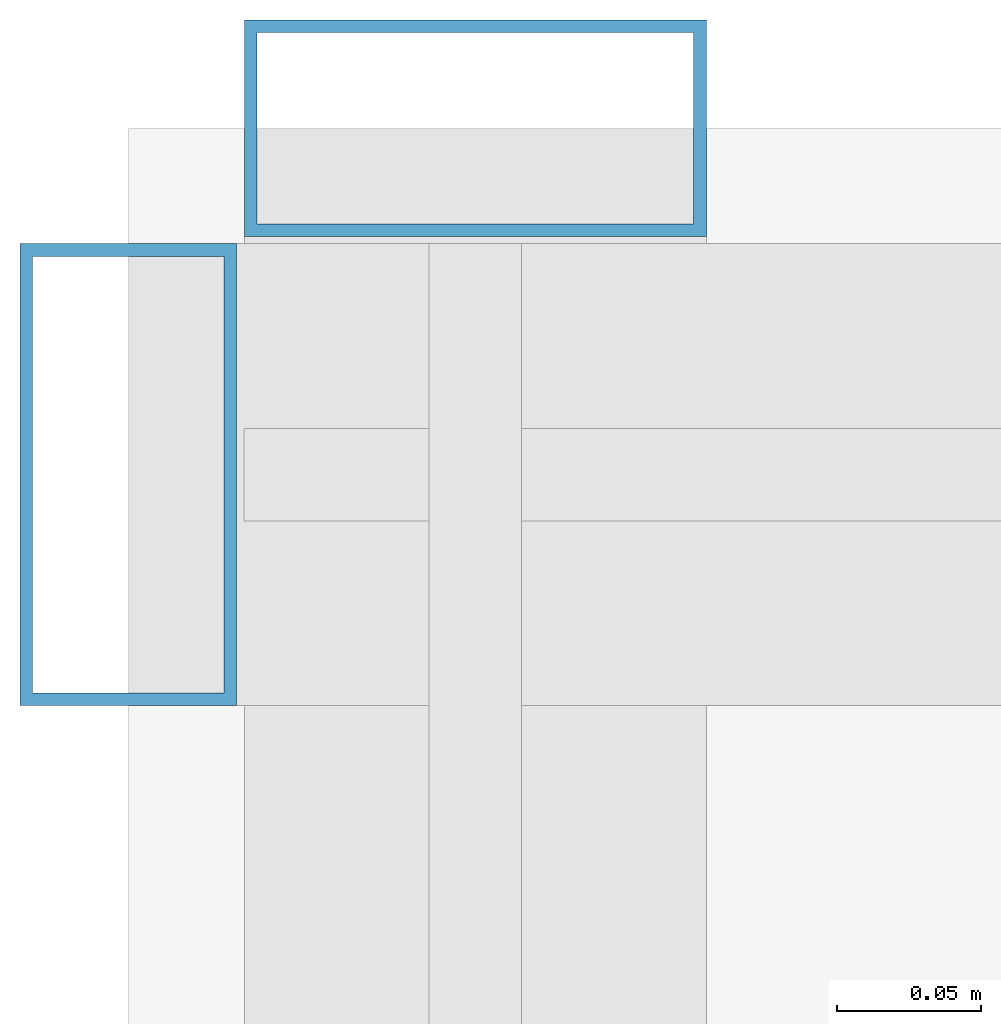
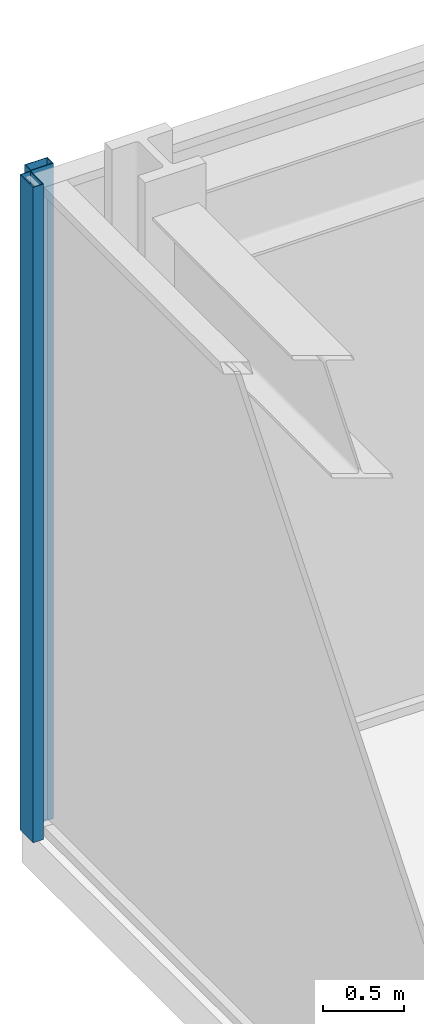
# One storey, part 30 of 49: 2 members, 2 elements without a shape of their own.
"""IFC4 building model written with IfcOpenShell, lengths in metres."""

from ifc_helpers import new_model, si_unit, direction, frame, origin, origin_2d, place, context, subcontext, project, spatial, hollow_rectangle, extrude, material, material_profile, profile_set, type_object, element, aggregate, save


model = new_model("IFC4")

# Units and contexts
model_context = context("Model", 3, precision=1e-05, world=origin(), true_north=direction((0.0, 1.0)))
body_context = subcontext(model_context, "Body", "Model", "MODEL_VIEW")
ifc_project = project(units=[si_unit("LENGTHUNIT", "METRE"), si_unit("AREAUNIT", "SQUARE_METRE"), si_unit("VOLUMEUNIT", "CUBIC_METRE"), si_unit("PLANEANGLEUNIT", "RADIAN"), si_unit("MASSUNIT", "GRAM", prefix="KILO")], contexts=[model_context])

# Site, building, storey
site_placement = place(None, origin())
site = spatial("IfcSite", under=ifc_project, at=site_placement, CompositionType="ELEMENT")
building_placement = place(site_placement, origin())
building = spatial("IfcBuilding", under=site, at=building_placement, Name="Kolvaren Belvedere", CompositionType="ELEMENT")
storey_placement = place(building_placement, frame((0.0, 0.0, 10.0)))
storey = spatial("IfcBuildingStorey", under=building, at=storey_placement, Name="L03", CompositionType="ELEMENT", Elevation=10.0)

# Curtain wall, member
ifc_material_1 = material(Name="Anodised pale-metal aluminium AA 6063-T6", Category="aluminium")
curtain_wall_type = type_object("IfcCurtainWallType", Name="CW-POD-A", PredefinedType="NOTDEFINED", material=ifc_material_1)
curtain_wall_1_placement = place(storey_placement, origin())
curtain_wall_1 = element("IfcCurtainWall", 1, at=curtain_wall_1_placement, inside=storey, type_object=curtain_wall_type, Name="L03 Unitised Curtain Wall FCW-L03-SEG7", PredefinedType="NOTDEFINED")
ifc_material_2 = material(Name="Anodised pale-metal aluminium AA 6063-T6", Category="aluminium")
ifc_material_profile = material_profile(ifc_material_2, hollow_rectangle(XDim=0.074951171875, YDim=0.159912109375, WallThickness=0.00439453125, at=origin_2d()), Name="ALU-MUL-160X75")
ifc_profile_set = profile_set([ifc_material_profile], Name="Anodised pale-metal aluminium AA 6063-T6")
member_type = type_object("IfcMemberType", Name="CW-MUL-160", PredefinedType="MULLION", material=ifc_profile_set)
member_1_placement = place(storey_placement, frame((-28.0, 28.280029296875, 0.0), z_axis=(0.0, 0.0, 1.0), x_axis=(1.0, 0.0, 0.0)))
member_1 = element("IfcMember", 2, at=member_1_placement, type_object=member_type, Name="FCW-L03-SEG7 Unitised Mullion 1", PredefinedType="MULLION", context=body_context, shape_type="SweptSolid", body=[
    extrude(hollow_rectangle(XDim=0.074951171875, YDim=0.159912109375, WallThickness=0.00439453125, at=origin_2d()), origin(), (0.0, 0.0, 1.0), 4.919921875),
])
aggregate(curtain_wall_1, [member_1])

curtain_wall_2_placement = place(storey_placement, origin())
curtain_wall_2 = element("IfcCurtainWall", 3, at=curtain_wall_2_placement, inside=storey, type_object=curtain_wall_type, Name="L03 Unitised Curtain Wall FCW-L03-SEG8", PredefinedType="NOTDEFINED")
member_2_placement = place(storey_placement, frame((-27.8798828125, 28.39990234375, 0.0), z_axis=(0.0, 0.0, 1.0), x_axis=(0.0, 1.0, 0.0)))
member_2 = element("IfcMember", 4, at=member_2_placement, type_object=member_type, Name="FCW-L03-SEG8 Unitised Mullion 5", PredefinedType="MULLION", context=body_context, shape_type="SweptSolid", body=[
    extrude(hollow_rectangle(XDim=0.074951171875, YDim=0.159912109375, WallThickness=0.00439453125, at=origin_2d()), origin(), (0.0, 0.0, 1.0), 4.919921875),
])
aggregate(curtain_wall_2, [member_2])

save(model, "model.ifc")
